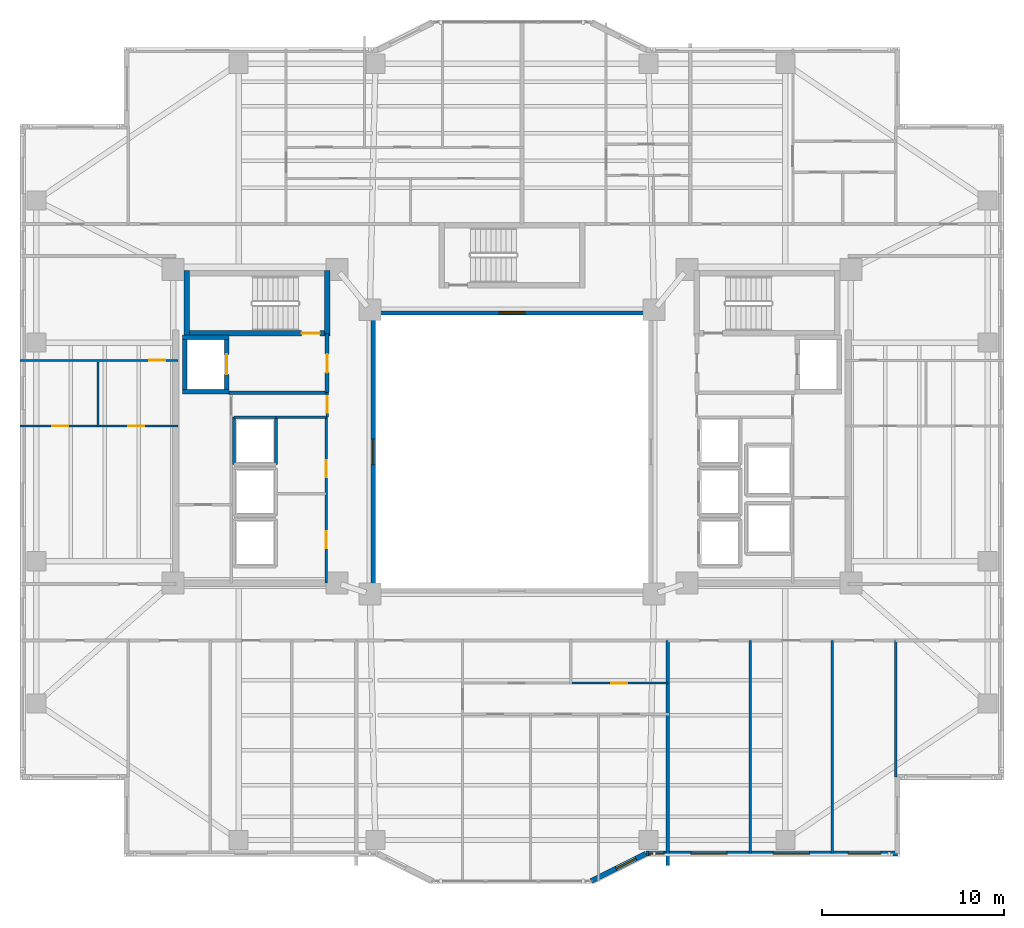
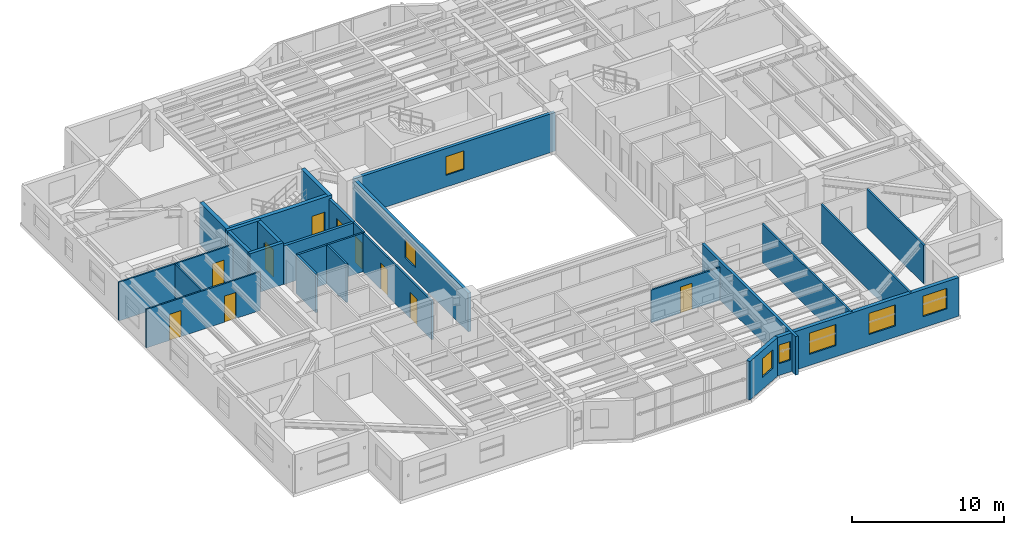
# One storey, part 7 of 18: 27 walls, 10 doors, 7 windows, 17 openings.
"""IFC4 building model written with IfcOpenShell, lengths in metres."""

import ifcopenshell
import ifcopenshell.guid

model = None  # the IFC model being written
_history = None  # IfcOwnerHistory: only IFC2X3 demands one
_inside = {}  # id of a spatial element -> (the spatial element, [elements in it])
_under = {}  # id of a project, library or spatial element -> (it, [spatial elements below it])
_declared = {}  # id of a project -> (the project, [libraries it declares])
_typed = {}  # id of a type object -> (the type object, [elements of that type])
_made_of = {}  # id of a material, layer set ... -> (it, [elements and type objects made of it])


def new_model(schema):
    """Start an empty IFC model of exactly this schema.

    Asked for "IFC4X3", IfcOpenShell would pick the latest addendum, in which some entities
    have other attributes; the version numbers below select the first issue.
    IFC2X3 requires an IfcOwnerHistory on every rooted entity: one is made here for all.
    """
    global model, _history
    if schema == "IFC4X3":
        model = ifcopenshell.file(schema_version=(4, 3, 0, 0))
    else:
        model = ifcopenshell.file(schema=schema)
    _inside.clear()
    _under.clear()
    _declared.clear()
    _typed.clear()
    _made_of.clear()
    _history = None
    if model.schema == "IFC2X3":
        org = make("IfcOrganization", Name="unknown")
        user = make(
            "IfcPersonAndOrganization",
            ThePerson=make("IfcPerson", FamilyName="unknown"),
            TheOrganization=org,
        )
        app = make(
            "IfcApplication",
            ApplicationDeveloper=org,
            Version="unknown",
            ApplicationFullName="unknown",
            ApplicationIdentifier="unknown",
        )
        _history = make(
            "IfcOwnerHistory",
            OwningUser=user,
            OwningApplication=app,
            ChangeAction="ADDED",
            CreationDate=0,
        )
    return model


def make(cls, **values):
    """One entity of the class cls with the attributes given. An attribute that is None is left unset."""
    return model.create_entity(
        cls, **{name: value for name, value in values.items() if value is not None}
    )


def rooted(cls, **values):
    """An entity with a GlobalId (a new one), such as an element, a storey or a relation."""
    return make(cls, GlobalId=ifcopenshell.guid.new(), OwnerHistory=_history, **values)


def si_unit(unit_type, name, prefix=None):
    """IfcSIUnit, for example si_unit("LENGTHUNIT", "METRE", prefix="MILLI")."""
    return make("IfcSIUnit", UnitType=unit_type, Prefix=prefix, Name=name)


def assignment(units):
    """IfcUnitAssignment: the units of a project."""
    return None if units is None else make("IfcUnitAssignment", Units=units)


def point(xyz):
    """IfcCartesianPoint."""
    return None if xyz is None else make("IfcCartesianPoint", Coordinates=xyz)


def direction(xyz):
    """IfcDirection."""
    return None if xyz is None else make("IfcDirection", DirectionRatios=xyz)


def frame(location, z_axis=None, x_axis=None):
    """IfcAxis2Placement3D, a coordinate frame: its origin and axes. An axis left out is left unset."""
    return make(
        "IfcAxis2Placement3D",
        Location=point(location),
        Axis=direction(z_axis),
        RefDirection=direction(x_axis),
    )


def frame_2d(location, x_axis=None):
    """IfcAxis2Placement2D, a coordinate frame in the plane: its origin and x axis."""
    return make(
        "IfcAxis2Placement2D", Location=point(location), RefDirection=direction(x_axis)
    )


def origin():
    """The frame at (0, 0, 0) with its axes left unset."""
    return frame((0.0, 0.0, 0.0))


def place(relative_to, where):
    """IfcLocalPlacement: puts the frame where relative to a parent placement (None: the world)."""
    return make(
        "IfcLocalPlacement", PlacementRelTo=relative_to, RelativePlacement=where
    )


def context(
    kind, dimensions, precision=None, world=None, true_north=None, identifier=None
):
    """IfcGeometricRepresentationContext, for example the 3D "Model" context."""
    return make(
        "IfcGeometricRepresentationContext",
        ContextIdentifier=identifier,
        ContextType=kind,
        CoordinateSpaceDimension=dimensions,
        Precision=precision,
        WorldCoordinateSystem=world,
        TrueNorth=true_north,
    )


def subcontext(parent, identifier, kind, view, scale=None):
    """IfcGeometricRepresentationSubContext, for example "Body" below "Model"."""
    return make(
        "IfcGeometricRepresentationSubContext",
        ContextIdentifier=identifier,
        ContextType=kind,
        ParentContext=parent,
        TargetScale=scale,
        TargetView=view,
    )


def project(units=None, contexts=None):
    """IfcProject with its units and contexts."""
    return rooted(
        "IfcProject",
        Name="project",
        RepresentationContexts=contexts,
        UnitsInContext=assignment(units),
    )


def spatial(cls, under=None, at=None, **own):
    """A site, building, storey or space (cls), placed at a placement, below another one or the project."""
    s = rooted(cls, ObjectPlacement=at, **own)
    if under is not None:
        _under.setdefault(under.id(), (under, []))[1].append(s)
    return s


def profile(cls, at=None, kind="AREA", **sizes):
    """A parametric profile (cls). Its sizes go by their IFC names, for example OverallWidth=200.0."""
    return make(cls, ProfileType=kind, Position=at, **sizes)


def rectangle(**sizes):
    """IfcRectangleProfileDef."""
    return profile("IfcRectangleProfileDef", **sizes)


def extrude(swept, where, along, depth):
    """IfcExtrudedAreaSolid: the profile swept, set in the frame where, extruded along a direction by depth."""
    return make(
        "IfcExtrudedAreaSolid",
        SweptArea=swept,
        Position=where,
        ExtrudedDirection=direction(along),
        Depth=depth,
    )


def shape(context_of_items, identifier, shape_type, items):
    """IfcShapeRepresentation: the items that make up one representation, for example the "Body"."""
    return make(
        "IfcShapeRepresentation",
        ContextOfItems=context_of_items,
        RepresentationIdentifier=identifier,
        RepresentationType=shape_type,
        Items=items,
    )


def material(Name=None, Category=None):
    """IfcMaterial."""
    return make("IfcMaterial", Name=Name, Category=Category)


def layer(
    of_material, thickness, ventilated=None, Name=None, Category=None, Priority=None
):
    """IfcMaterialLayer: one layer of a wall or slab, of a material (None: an air gap)."""
    return make(
        "IfcMaterialLayer",
        Material=of_material,
        LayerThickness=thickness,
        IsVentilated=ventilated,
        Name=Name,
        Category=Category,
        Priority=Priority,
    )


def layer_set(layers, Name=None):
    """IfcMaterialLayerSet."""
    return make("IfcMaterialLayerSet", MaterialLayers=layers, LayerSetName=Name)


def made_of(thing, what):
    """Note that an element or type object is made of a material, layer set ...; save() writes the relation."""
    if what is not None:
        _made_of.setdefault(what.id(), (what, []))[1].append(thing)
    return thing


def type_object(cls, material=None, **own):
    """A type object (cls), such as IfcWallType, which elements share."""
    return made_of(rooted(cls, **own), material)


def element(
    cls,
    number,
    at=None,
    inside=None,
    cuts=None,
    type_object=None,
    material=None,
    context=None,
    identifier="Body",
    shape_type=None,
    held_by="IfcProductDefinitionShape",
    body=None,
    shapes=None,
    **own,
):
    """One element of the class cls, such as IfcWall. Its Tag is "e" and its number.

    at: its placement. inside: the storey or other place that contains it. cuts: it is an
    opening in that element (IfcRelVoidsElement). A single representation is given by context,
    identifier, shape_type and body (its items); several are given by shapes. held_by: the class
    of the entity that holds the representations. save() writes the other relations.
    """
    e = rooted(cls, Tag="e%d" % number, ObjectPlacement=at, **own)
    if body is not None:
        shapes = [shape(context, identifier, shape_type, body)]
    if shapes is not None:
        e.Representation = make(held_by, Representations=shapes)
    if inside is not None:
        _inside.setdefault(inside.id(), (inside, []))[1].append(e)
    if cuts is not None:
        rooted(
            "IfcRelVoidsElement", RelatingBuildingElement=cuts, RelatedOpeningElement=e
        )
    if type_object is not None:
        _typed.setdefault(type_object.id(), (type_object, []))[1].append(e)
    return made_of(e, material)


def fill(opening, filler):
    """IfcRelFillsElement: the door or window that sits in an opening."""
    return rooted(
        "IfcRelFillsElement",
        RelatingOpeningElement=opening,
        RelatedBuildingElement=filler,
    )


def aggregate(whole, parts):
    """IfcRelAggregates: a whole, such as a stair, and the parts it consists of."""
    return rooted("IfcRelAggregates", RelatingObject=whole, RelatedObjects=parts)


def save(model, path):
    """Write the relations noted so far, then the file.

    IfcRelAggregates (storeys below a building ...), IfcRelContainedInSpatialStructure (elements
    in a storey), IfcRelDefinesByType, IfcRelAssociatesMaterial and IfcRelDeclares: one each for
    every whole, place, type object, material and project.
    """
    for whole, parts in _under.values():
        aggregate(whole, parts)
    for where, things in _inside.values():
        rooted(
            "IfcRelContainedInSpatialStructure",
            RelatedElements=things,
            RelatingStructure=where,
        )
    for kind, things in _typed.values():
        rooted("IfcRelDefinesByType", RelatedObjects=things, RelatingType=kind)
    for what, things in _made_of.values():
        rooted("IfcRelAssociatesMaterial", RelatedObjects=things, RelatingMaterial=what)
    for by, libraries in _declared.values():
        rooted("IfcRelDeclares", RelatingContext=by, RelatedDefinitions=libraries)
    model.write(path)


model = new_model("IFC4")

# Units and contexts
model_context = context("Model", 3, precision=1e-05, world=origin(), true_north=direction((0.0, 1.0)))
body_context = subcontext(model_context, "Body", "Model", "MODEL_VIEW")
ifc_project = project(units=[si_unit("LENGTHUNIT", "METRE"), si_unit("AREAUNIT", "SQUARE_METRE"), si_unit("VOLUMEUNIT", "CUBIC_METRE"), si_unit("PLANEANGLEUNIT", "RADIAN"), si_unit("MASSUNIT", "GRAM", prefix="KILO")], contexts=[model_context])

# Site, building, storey
site_placement = place(None, origin())
site = spatial("IfcSite", under=ifc_project, at=site_placement, CompositionType="ELEMENT")
building_placement = place(site_placement, origin())
building = spatial("IfcBuilding", under=site, at=building_placement, Name="Tarnavaz Court Tower", CompositionType="ELEMENT")
storey_placement = place(building_placement, frame((0.0, 0.0, 91.699951171875)))
storey = spatial("IfcBuildingStorey", under=building, at=storey_placement, Name="L24", CompositionType="ELEMENT", Elevation=91.699951171875)

# Wall
ifc_material_1 = material(Name="Concrete C60/75", Category="concrete")
ifc_layer_1 = layer(ifc_material_1, 0.25)
ifc_layer_set_1 = layer_set([ifc_layer_1], Name="Concrete C60/75")
wall_type_1 = type_object("IfcWallType", Name="WL-CORE-250-C60", PredefinedType="SHEAR", material=ifc_layer_set_1)
wall_1_placement = place(storey_placement, frame((-17.949951171875, 3.175048828125, 0.0), z_axis=(0.0, 0.0, 1.0), x_axis=(0.0, 1.0, 0.0)))
element("IfcWall", 1, at=wall_1_placement, inside=storey, type_object=wall_type_1, Name="L24 Lift FL-W1 Shaft Wall 017", PredefinedType="SHEAR", context=body_context, shape_type="SweptSolid", body=[
    extrude(rectangle(XDim=3.25, YDim=0.25, at=frame_2d((1.625, 0.0))), origin(), (0.0, 0.0, 1.0), 3.35009765625),
])

# Wall, opening, door
wall_2_placement = place(storey_placement, frame((-15.64990234375, 3.175048828125, 0.0), z_axis=(0.0, 0.0, 1.0), x_axis=(0.0, 1.0, 0.0)))
wall_2 = element("IfcWall", 2, at=wall_2_placement, inside=storey, type_object=wall_type_1, Name="L24 Lift FL-W1 Shaft Wall 018", PredefinedType="SHEAR", context=body_context, shape_type="SweptSolid", body=[
    extrude(rectangle(XDim=3.25, YDim=0.25, at=frame_2d((1.625, 0.0))), origin(), (0.0, 0.0, 1.0), 3.35009765625),
])
opening_1_placement = place(wall_2_placement, frame((1.074951171875, 0.0, 0.0)))
opening_1 = element("IfcOpeningElement", 3, at=opening_1_placement, cuts=wall_2, Name="Opening LD1", PredefinedType="OPENING", context=body_context, shape_type="SweptSolid", body=[
    extrude(rectangle(XDim=1.10009765625, YDim=2.14990234375, at=frame_2d((0.550048828125, 1.074951171875))), frame((0.0, 0.135009765625, 0.0), z_axis=(0.0, -1.0, 0.0), x_axis=(1.0, 0.0, 0.0)), (0.0, 0.0, 1.0), 0.27001953125),
])
ifc_material_2 = material(Name="Stainless Steel", Category="steel")
door_type_1 = type_object("IfcDoorType", Name="DR-LD-1100", OperationType="NOTDEFINED", PredefinedType="DOOR", material=ifc_material_2)
door_1_placement = place(opening_1_placement, origin())
door_1 = element("IfcDoor", 4, at=door_1_placement, inside=storey, type_object=door_type_1, Name="L24 Lift Landing Door LD-FL-W1", OperationType="SLIDING_TO_LEFT", OverallHeight=2.14990234375, OverallWidth=1.10009765625, PredefinedType="DOOR", context=body_context, shape_type="SweptSolid", body=[
    extrude(rectangle(XDim=1.10009765625, YDim=2.14990234375, at=frame_2d((0.550048828125, 1.074951171875))), frame((0.0, 0.02490234375, 0.0), z_axis=(0.0, -1.0, 0.0), x_axis=(1.0, 0.0, 0.0)), (0.0, 0.0, 1.0), 0.050048828125),
])
fill(opening_1, door_1)

# Walls
for number, where, z_axis, x_axis, name in (
    (5, (-18.074951171875, 3.300048828125, 0.0), (0.0, 0.0, 1.0), (1.0, 0.0, 0.0), "L24 Lift FL-W1 Shaft Wall 019"),
    (6, (-18.074951171875, 6.300048828125, 0.0), (0.0, 0.0, 1.0), (1.0, 0.0, 0.0), "L24 Lift FL-W1 Shaft Wall 020"),
):
    element("IfcWall", number, at=place(storey_placement, frame(where, z_axis=z_axis, x_axis=x_axis)), inside=storey, type_object=wall_type_1, Name=name, PredefinedType="SHEAR", context=body_context, shape_type="SweptSolid", body=[
        extrude(rectangle(XDim=2.550048828125, YDim=0.25, at=frame_2d((1.27490234375, 0.0))), origin(), (0.0, 0.0, 1.0), 3.35009765625),
    ])

# Wall, opening, door
ifc_layer_2 = layer(ifc_material_1, 0.300048828125)
ifc_layer_set_2 = layer_set([ifc_layer_2], Name="Concrete C60/75")
wall_type_2 = type_object("IfcWallType", Name="WL-CORE-300-C60", PredefinedType="SHEAR", material=ifc_layer_set_2)
wall_3_placement = place(storey_placement, frame((-18.0, 6.5, 0.0), z_axis=(0.0, 0.0, 1.0), x_axis=(1.0, 0.0, 0.0)))
wall_3 = element("IfcWall", 7, at=wall_3_placement, inside=storey, type_object=wall_type_2, Name="L24 West Stair Core Wall 002", PredefinedType="SHEAR", context=body_context, shape_type="SweptSolid", body=[
    extrude(rectangle(XDim=8.0, YDim=0.300048828125, at=frame_2d((4.0, 0.0))), origin(), (0.0, 0.0, 1.0), 3.35009765625),
])
opening_2_placement = place(wall_3_placement, frame((6.449951171875, 0.0, 0.0)))
opening_2 = element("IfcOpeningElement", 8, at=opening_2_placement, cuts=wall_3, Name="Opening D01", PredefinedType="OPENING", context=body_context, shape_type="SweptSolid", body=[
    extrude(rectangle(XDim=1.0, YDim=2.14990234375, at=frame_2d((0.5, 1.074951171875))), frame((0.0, 0.159912109375, 0.0), z_axis=(0.0, -1.0, 0.0), x_axis=(1.0, 0.0, 0.0)), (0.0, 0.0, 1.0), 0.320068359375),
])
ifc_material_3 = material(Name="Fire-Rated Hardwood Timber Core", Category="wood")
door_type_2 = type_object("IfcDoorType", Name="DR-FD90-1000", OperationType="NOTDEFINED", PredefinedType="DOOR", material=ifc_material_3)
door_2_placement = place(opening_2_placement, origin())
door_2 = element("IfcDoor", 9, at=door_2_placement, inside=storey, type_object=door_type_2, Name="L24 Stair ST-W1 Exit Door", OperationType="SINGLE_SWING_LEFT", OverallHeight=2.14990234375, OverallWidth=1.0, PredefinedType="DOOR", context=body_context, shape_type="SweptSolid", body=[
    extrude(rectangle(XDim=1.0, YDim=2.14990234375, at=frame_2d((0.5, 1.074951171875))), frame((0.0, 0.02490234375, 0.0), z_axis=(0.0, -1.0, 0.0), x_axis=(1.0, 0.0, 0.0)), (0.0, 0.0, 1.0), 0.050048828125),
])
fill(opening_2, door_2)

# Walls
for number, where, z_axis, x_axis, name in (
    (10, (-17.85009765625, 6.35009765625, 0.0), (0.0, 0.0, 1.0), (0.0, 1.0, 0.0), "L24 West Stair Core Wall 003"),
    (11, (-10.14990234375, 6.35009765625, 0.0), (0.0, 0.0, 1.0), (0.0, 1.0, 0.0), "L24 West Stair Core Wall 004"),
):
    element("IfcWall", number, at=place(storey_placement, frame(where, z_axis=z_axis, x_axis=x_axis)), inside=storey, type_object=wall_type_2, Name=name, PredefinedType="SHEAR", context=body_context, shape_type="SweptSolid", body=[
        extrude(rectangle(XDim=3.58984375, YDim=0.300048828125, at=frame_2d((1.794921875, 0.0))), origin(), (0.0, 0.0, 1.0), 3.35009765625),
    ])

# Wall, openings, windows
ifc_material_4 = material(Name="Precast Concrete C40/50", Category="concrete")
ifc_layer_3 = layer(ifc_material_4, 0.280029296875)
ifc_layer_set_3 = layer_set([ifc_layer_3], Name="Precast Concrete C40/50")
wall_type_3 = type_object("IfcWallType", Name="WL-EXT-280", PredefinedType="SOLIDWALL", material=ifc_layer_set_3)
wall_4_placement = place(storey_placement, frame((21.14990234375, -22.050048828125, 0.0), z_axis=(0.0, 0.0, 1.0), x_axis=(-1.0, 0.0, 0.0)))
wall_4 = element("IfcWall", 12, at=wall_4_placement, inside=storey, type_object=wall_type_3, Name="L24 Exterior Terracotta Facade Wall 15", PredefinedType="SOLIDWALL", context=body_context, shape_type="SweptSolid", body=[
    extrude(rectangle(XDim=13.7998046875, YDim=0.280029296875, at=frame_2d((6.89990234375, 0.0))), origin(), (0.0, 0.0, 1.0), 3.10009765625),
])
opening_3_placement = place(wall_4_placement, frame((0.906494140625, 0.0, 0.89990234375)))
opening_3 = element("IfcOpeningElement", 13, at=opening_3_placement, cuts=wall_4, Name="Opening W01", PredefinedType="OPENING", context=body_context, shape_type="SweptSolid", body=[
    extrude(rectangle(XDim=1.800048828125, YDim=1.64990234375, at=frame_2d((0.89990234375, 0.824951171875))), frame((0.0, 0.14990234375, 0.0), z_axis=(0.0, -1.0, 0.0), x_axis=(1.0, 0.0, 0.0)), (0.0, 0.0, 1.0), 0.300048828125),
])
opening_4_placement = place(wall_4_placement, frame((4.821044921875, 0.0, 0.89990234375)))
opening_4 = element("IfcOpeningElement", 14, at=opening_4_placement, cuts=wall_4, Name="Opening W08", PredefinedType="OPENING", context=body_context, shape_type="SweptSolid", body=[
    extrude(rectangle(XDim=2.0, YDim=1.699951171875, at=frame_2d((1.0, 0.85009765625))), frame((0.0, 0.14990234375, 0.0), z_axis=(0.0, -1.0, 0.0), x_axis=(1.0, 0.0, 0.0)), (0.0, 0.0, 1.0), 0.300048828125),
])
opening_5_placement = place(wall_4_placement, frame((9.33740234375, 0.0, 0.89990234375)))
opening_5 = element("IfcOpeningElement", 15, at=opening_5_placement, cuts=wall_4, Name="Opening W08", PredefinedType="OPENING", context=body_context, shape_type="SweptSolid", body=[
    extrude(rectangle(XDim=2.0, YDim=1.699951171875, at=frame_2d((1.0, 0.85009765625))), frame((0.0, 0.14990234375, 0.0), z_axis=(0.0, -1.0, 0.0), x_axis=(1.0, 0.0, 0.0)), (0.0, 0.0, 1.0), 0.300048828125),
])
opening_6_placement = place(wall_4_placement, frame((12.802978515625, 0.0, 0.949951171875)))
opening_6 = element("IfcOpeningElement", 16, at=opening_6_placement, cuts=wall_4, Name="Opening W15", PredefinedType="OPENING", context=body_context, shape_type="SweptSolid", body=[
    extrude(rectangle(XDim=0.85009765625, YDim=1.5, at=frame_2d((0.425048828125, 0.75))), frame((0.0, 0.14990234375, 0.0), z_axis=(0.0, -1.0, 0.0), x_axis=(1.0, 0.0, 0.0)), (0.0, 0.0, 1.0), 0.300048828125),
])
ifc_material_5 = material(Name="Double-Glazed Solar Low-E Glass", Category="glass")
window_type_1 = type_object("IfcWindowType", Name="WN-APT-1800", PartitioningType="DOUBLE_PANEL_VERTICAL", PredefinedType="WINDOW", material=ifc_material_5)
window_1_placement = place(opening_3_placement, origin())
window_1 = element("IfcWindow", 17, at=window_1_placement, inside=storey, type_object=window_type_1, Name="L24 Resident Focus Seminar Room Window", OverallHeight=1.64990234375, OverallWidth=1.800048828125, PartitioningType="SINGLE_PANEL", PredefinedType="WINDOW", context=body_context, shape_type="SweptSolid", body=[
    extrude(rectangle(XDim=1.800048828125, YDim=1.64990234375, at=frame_2d((0.89990234375, 0.824951171875))), frame((0.0, 0.030029296875, 0.0), z_axis=(0.0, -1.0, 0.0), x_axis=(1.0, 0.0, 0.0)), (0.0, 0.0, 1.0), 0.06005859375),
])
fill(opening_3, window_1)
window_type_2 = type_object("IfcWindowType", Name="WN-APT-2000", PartitioningType="DOUBLE_PANEL_VERTICAL", PredefinedType="WINDOW", material=ifc_material_5)
window_2_placement = place(opening_4_placement, origin())
window_2 = element("IfcWindow", 18, at=window_2_placement, inside=storey, type_object=window_type_2, Name="L24 Quiet Reading Library Room Window", OverallHeight=1.699951171875, OverallWidth=2.0, PartitioningType="SINGLE_PANEL", PredefinedType="WINDOW", context=body_context, shape_type="SweptSolid", body=[
    extrude(rectangle(XDim=2.0, YDim=1.699951171875, at=frame_2d((1.0, 0.85009765625))), frame((0.0, 0.030029296875, 0.0), z_axis=(0.0, -1.0, 0.0), x_axis=(1.0, 0.0, 0.0)), (0.0, 0.0, 1.0), 0.06005859375),
])
fill(opening_4, window_2)
window_3_placement = place(opening_5_placement, origin())
window_3 = element("IfcWindow", 19, at=window_3_placement, inside=storey, type_object=window_type_2, Name="L24 Resident Co-Working Study Room Window", OverallHeight=1.699951171875, OverallWidth=2.0, PartitioningType="SINGLE_PANEL", PredefinedType="WINDOW", context=body_context, shape_type="SweptSolid", body=[
    extrude(rectangle(XDim=2.0, YDim=1.699951171875, at=frame_2d((1.0, 0.85009765625))), frame((0.0, 0.030029296875, 0.0), z_axis=(0.0, -1.0, 0.0), x_axis=(1.0, 0.0, 0.0)), (0.0, 0.0, 1.0), 0.06005859375),
])
fill(opening_5, window_3)
window_type_3 = type_object("IfcWindowType", Name="WN-APT-850", PartitioningType="SINGLE_PANEL", PredefinedType="WINDOW", material=ifc_material_5)
window_4_placement = place(opening_6_placement, origin())
window_4 = element("IfcWindow", 20, at=window_4_placement, inside=storey, type_object=window_type_3, Name="L24 Flat 04 Bedroom 3 Window", OverallHeight=1.5, OverallWidth=0.85009765625, PartitioningType="SINGLE_PANEL", PredefinedType="WINDOW", context=body_context, shape_type="SweptSolid", body=[
    extrude(rectangle(XDim=0.85009765625, YDim=1.5, at=frame_2d((0.425048828125, 0.75))), frame((0.0, 0.030029296875, 0.0), z_axis=(0.0, -1.0, 0.0), x_axis=(1.0, 0.0, 0.0)), (0.0, 0.0, 1.0), 0.06005859375),
])
fill(opening_6, window_4)

# Wall, opening, window
wall_5_placement = place(storey_placement, frame((7.35009765625, -22.050048828125, 0.0), z_axis=(0.0, 0.0, 1.0), x_axis=(-0.894427191, -0.4472135955, 0.0)))
wall_5 = element("IfcWall", 21, at=wall_5_placement, inside=storey, type_object=wall_type_3, Name="L24 Exterior Terracotta Facade Wall 16", PredefinedType="SOLIDWALL", context=body_context, shape_type="SweptSolid", body=[
    extrude(rectangle(XDim=3.35400390625, YDim=0.280029296875, at=frame_2d((1.677001953125, 0.0))), origin(), (0.0, 0.0, 1.0), 3.10009765625),
])
opening_7_placement = place(wall_5_placement, frame((0.62158203125, 0.0, 0.949951171875)))
opening_7 = element("IfcOpeningElement", 22, at=opening_7_placement, cuts=wall_5, Name="Opening W05", PredefinedType="OPENING", context=body_context, shape_type="SweptSolid", body=[
    extrude(rectangle(XDim=1.199951171875, YDim=1.5, at=frame_2d((0.60009765625, 0.75))), frame((0.0, 0.14990234375, 0.0), z_axis=(0.0, -1.0, 0.0), x_axis=(1.0, 0.0, 0.0)), (0.0, 0.0, 1.0), 0.300048828125),
])
window_type_4 = type_object("IfcWindowType", Name="WN-APT-1200", PartitioningType="SINGLE_PANEL", PredefinedType="WINDOW", material=ifc_material_5)
window_5_placement = place(opening_7_placement, origin())
window_5 = element("IfcWindow", 23, at=window_5_placement, inside=storey, type_object=window_type_4, Name="L24 Flat 04 Bedroom 3 Window", OverallHeight=1.5, OverallWidth=1.199951171875, PartitioningType="SINGLE_PANEL", PredefinedType="WINDOW", context=body_context, shape_type="SweptSolid", body=[
    extrude(rectangle(XDim=1.199951171875, YDim=1.5, at=frame_2d((0.60009765625, 0.75))), frame((0.0, 0.030029296875, 0.0), z_axis=(0.0, -1.0, 0.0), x_axis=(1.0, 0.0, 0.0)), (0.0, 0.0, 1.0), 0.06005859375),
])
fill(opening_7, window_5)

# Wall
ifc_material_6 = material(Name="Autoclaved Aerated Concrete Blockwork", Category="masonry")
ifc_layer_4 = layer(ifc_material_6, 0.199951171875)
ifc_layer_set_4 = layer_set([ifc_layer_4], Name="Autoclaved Aerated Concrete Blockwork")
wall_type_4 = type_object("IfcWallType", Name="WL-FIRE-200", PredefinedType="SOLIDWALL", material=ifc_layer_set_4)
wall_6_placement = place(storey_placement, frame((-15.550048828125, 3.25, 0.0), z_axis=(0.0, 0.0, 1.0), x_axis=(1.0, 0.0, 0.0)))
element("IfcWall", 24, at=wall_6_placement, inside=storey, type_object=wall_type_4, Name="L24 West Firefighting Lobby Wall 013", PredefinedType="SOLIDWALL", context=body_context, shape_type="SweptSolid", body=[
    extrude(rectangle(XDim=5.400146484375, YDim=0.199951171875, at=frame_2d((2.7001953125, 0.0))), origin(), (0.0, 0.0, 1.0), 3.10009765625),
])

# Wall, opening, door
wall_7_placement = place(storey_placement, frame((-10.14990234375, 3.25, 0.0), z_axis=(0.0, 0.0, 1.0), x_axis=(0.0, 1.0, 0.0)))
wall_7 = element("IfcWall", 25, at=wall_7_placement, inside=storey, type_object=wall_type_4, Name="L24 West Firefighting Lobby Wall 014", PredefinedType="SOLIDWALL", context=body_context, shape_type="SweptSolid", body=[
    extrude(rectangle(XDim=3.25, YDim=0.199951171875, at=frame_2d((1.625, 0.0))), origin(), (0.0, 0.0, 1.0), 3.10009765625),
])
opening_8_placement = place(wall_7_placement, frame((1.10009765625, 0.0, 0.0)))
opening_8 = element("IfcOpeningElement", 26, at=opening_8_placement, cuts=wall_7, Name="Opening D05", PredefinedType="OPENING", context=body_context, shape_type="SweptSolid", body=[
    extrude(rectangle(XDim=1.02001953125, YDim=2.14990234375, at=frame_2d((0.510009765625, 1.074951171875))), frame((0.0, 0.10986328125, 0.0), z_axis=(0.0, -1.0, 0.0), x_axis=(1.0, 0.0, 0.0)), (0.0, 0.0, 1.0), 0.219970703125),
])
door_type_3 = type_object("IfcDoorType", Name="DR-FD60-1000", OperationType="NOTDEFINED", PredefinedType="DOOR", material=ifc_material_3)
door_3_placement = place(opening_8_placement, origin())
door_3 = element("IfcDoor", 27, at=door_3_placement, inside=storey, type_object=door_type_3, Name="L24 West Firefighting Lobby Door", OperationType="SINGLE_SWING_RIGHT", OverallHeight=2.14990234375, OverallWidth=1.02001953125, PredefinedType="DOOR", context=body_context, shape_type="SweptSolid", body=[
    extrude(rectangle(XDim=1.02001953125, YDim=2.14990234375, at=frame_2d((0.510009765625, 1.074951171875))), frame((0.0, 0.02490234375, 0.0), z_axis=(0.0, -1.0, 0.0), x_axis=(1.0, 0.0, 0.0)), (0.0, 0.0, 1.0), 0.050048828125),
])
fill(opening_8, door_3)

# Wall
wall_8_placement = place(storey_placement, frame((8.550048828125, -22.7041015625, 0.0), z_axis=(0.0, 0.0, 1.0), x_axis=(0.0, 1.0, 0.0)))
element("IfcWall", 28, at=wall_8_placement, inside=storey, type_object=wall_type_4, Name="L24 Party Wall 099", PredefinedType="SOLIDWALL", context=body_context, shape_type="SweptSolid", body=[
    extrude(rectangle(XDim=12.35400390625, YDim=0.199951171875, at=frame_2d((6.177001953125, 0.0))), origin(), (0.0, 0.0, 1.0), 3.10009765625),
])

# Wall, opening, door
ifc_material_7 = material(Name="Moisture-Resistant Gypsum Board Partition", Category="masonry")
ifc_layer_5 = layer(ifc_material_7, 0.1201171875)
ifc_layer_set_5 = layer_set([ifc_layer_5], Name="Moisture-Resistant Gypsum Board Partition")
wall_type_5 = type_object("IfcWallType", Name="WL-PART-120", PredefinedType="PARTITIONING", material=ifc_layer_set_5)
wall_9_placement = place(storey_placement, frame((3.218994140625, -12.68994140625, 0.0), z_axis=(0.0, 0.0, 1.0), x_axis=(1.0, 0.0, 0.0)))
wall_9 = element("IfcWall", 29, at=wall_9_placement, inside=storey, type_object=wall_type_5, Name="L24 Interior Partition 103", PredefinedType="PARTITIONING", context=body_context, shape_type="SweptSolid", body=[
    extrude(rectangle(XDim=5.3310546875, YDim=0.1201171875, at=frame_2d((2.66552734375, 0.0))), origin(), (0.0, 0.0, 1.0), 2.635009765625),
])
opening_9_placement = place(wall_9_placement, frame((2.22607421875, 0.0, 0.0)))
opening_9 = element("IfcOpeningElement", 30, at=opening_9_placement, cuts=wall_9, Name="Opening D14", PredefinedType="OPENING", context=body_context, shape_type="SweptSolid", body=[
    extrude(rectangle(XDim=0.8798828125, YDim=2.10009765625, at=frame_2d((0.43994140625, 1.050048828125))), frame((0.0, 0.070068359375, 0.0), z_axis=(0.0, -1.0, 0.0), x_axis=(1.0, 0.0, 0.0)), (0.0, 0.0, 1.0), 0.14013671875),
])
ifc_material_8 = material(Name="Engineered Oak Timber", Category="wood")
door_type_4 = type_object("IfcDoorType", Name="DR-INT-900", OperationType="NOTDEFINED", PredefinedType="DOOR", material=ifc_material_8)
door_4_placement = place(opening_9_placement, origin())
door_4 = element("IfcDoor", 31, at=door_4_placement, inside=storey, type_object=door_type_4, Name="L24 Flat 04 Bathroom Door", OperationType="SINGLE_SWING_LEFT", OverallHeight=2.10009765625, OverallWidth=0.8798828125, PredefinedType="DOOR", context=body_context, shape_type="SweptSolid", body=[
    extrude(rectangle(XDim=0.8798828125, YDim=2.10009765625, at=frame_2d((0.43994140625, 1.050048828125))), frame((0.0, 0.02490234375, 0.0), z_axis=(0.0, -1.0, 0.0), x_axis=(1.0, 0.0, 0.0)), (0.0, 0.0, 1.0), 0.050048828125),
])
fill(opening_9, door_4)

# Wall, openings, doors
wall_10_placement = place(storey_placement, frame((-27.0, 1.419921875, 0.0), z_axis=(0.0, 0.0, 1.0), x_axis=(1.0, 0.0, 0.0)))
wall_10 = element("IfcWall", 32, at=wall_10_placement, inside=storey, type_object=wall_type_5, Name="L24 Interior Partition 120", PredefinedType="PARTITIONING", context=body_context, shape_type="SweptSolid", body=[
    extrude(rectangle(XDim=8.669921875, YDim=0.1201171875, at=frame_2d((4.3349609375, 0.0))), origin(), (0.0, 0.0, 1.0), 3.10009765625),
])
opening_10_placement = place(wall_10_placement, frame((1.762939453125, 0.0, 0.0)))
opening_10 = element("IfcOpeningElement", 33, at=opening_10_placement, cuts=wall_10, Name="Opening D14", PredefinedType="OPENING", context=body_context, shape_type="SweptSolid", body=[
    extrude(rectangle(XDim=0.8798828125, YDim=2.10009765625, at=frame_2d((0.43994140625, 1.050048828125))), frame((0.0, 0.070068359375, 0.0), z_axis=(0.0, -1.0, 0.0), x_axis=(1.0, 0.0, 0.0)), (0.0, 0.0, 1.0), 0.14013671875),
])
opening_11_placement = place(wall_10_placement, frame((5.927978515625, 0.0, 0.0)))
opening_11 = element("IfcOpeningElement", 34, at=opening_11_placement, cuts=wall_10, Name="Opening D14", PredefinedType="OPENING", context=body_context, shape_type="SweptSolid", body=[
    extrude(rectangle(XDim=0.8798828125, YDim=2.10009765625, at=frame_2d((0.43994140625, 1.050048828125))), frame((0.0, 0.070068359375, 0.0), z_axis=(0.0, -1.0, 0.0), x_axis=(1.0, 0.0, 0.0)), (0.0, 0.0, 1.0), 0.14013671875),
])
door_5_placement = place(opening_10_placement, origin())
door_5 = element("IfcDoor", 35, at=door_5_placement, inside=storey, type_object=door_type_4, Name="L24 Flat 05 Kitchen Door", OperationType="SINGLE_SWING_RIGHT", OverallHeight=2.10009765625, OverallWidth=0.8798828125, PredefinedType="DOOR", context=body_context, shape_type="SweptSolid", body=[
    extrude(rectangle(XDim=0.8798828125, YDim=2.10009765625, at=frame_2d((0.43994140625, 1.050048828125))), frame((0.0, 0.02490234375, 0.0), z_axis=(0.0, -1.0, 0.0), x_axis=(1.0, 0.0, 0.0)), (0.0, 0.0, 1.0), 0.050048828125),
])
fill(opening_10, door_5)
door_6_placement = place(opening_11_placement, origin())
door_6 = element("IfcDoor", 36, at=door_6_placement, inside=storey, type_object=door_type_4, Name="L24 Flat 05 Bathroom Door", OperationType="SINGLE_SWING_LEFT", OverallHeight=2.10009765625, OverallWidth=0.8798828125, PredefinedType="DOOR", context=body_context, shape_type="SweptSolid", body=[
    extrude(rectangle(XDim=0.8798828125, YDim=2.10009765625, at=frame_2d((0.43994140625, 1.050048828125))), frame((0.0, 0.02490234375, 0.0), z_axis=(0.0, -1.0, 0.0), x_axis=(1.0, 0.0, 0.0)), (0.0, 0.0, 1.0), 0.050048828125),
])
fill(opening_11, door_6)

# Wall, opening, door
wall_11_placement = place(storey_placement, frame((-27.0, 5.02001953125, 0.0), z_axis=(0.0, 0.0, 1.0), x_axis=(1.0, 0.0, 0.0)))
wall_11 = element("IfcWall", 37, at=wall_11_placement, inside=storey, type_object=wall_type_5, Name="L24 Interior Partition 121", PredefinedType="PARTITIONING", context=body_context, shape_type="SweptSolid", body=[
    extrude(rectangle(XDim=8.669921875, YDim=0.1201171875, at=frame_2d((4.3349609375, 0.0))), origin(), (0.0, 0.0, 1.0), 3.10009765625),
])
opening_12_placement = place(wall_11_placement, frame((7.10009765625, 0.0, 0.0)))
opening_12 = element("IfcOpeningElement", 38, at=opening_12_placement, cuts=wall_11, Name="Opening D14", PredefinedType="OPENING", context=body_context, shape_type="SweptSolid", body=[
    extrude(rectangle(XDim=0.8798828125, YDim=2.10009765625, at=frame_2d((0.43994140625, 1.050048828125))), frame((0.0, 0.070068359375, 0.0), z_axis=(0.0, -1.0, 0.0), x_axis=(1.0, 0.0, 0.0)), (0.0, 0.0, 1.0), 0.14013671875),
])
door_7_placement = place(opening_12_placement, origin())
door_7 = element("IfcDoor", 39, at=door_7_placement, inside=storey, type_object=door_type_4, Name="L24 Flat 05 Study Door", OperationType="SINGLE_SWING_RIGHT", OverallHeight=2.10009765625, OverallWidth=0.8798828125, PredefinedType="DOOR", context=body_context, shape_type="SweptSolid", body=[
    extrude(rectangle(XDim=0.8798828125, YDim=2.10009765625, at=frame_2d((0.43994140625, 1.050048828125))), frame((0.0, 0.02490234375, 0.0), z_axis=(0.0, -1.0, 0.0), x_axis=(1.0, 0.0, 0.0)), (0.0, 0.0, 1.0), 0.050048828125),
])
fill(opening_12, door_7)

# Walls
wall_12_placement = place(storey_placement, frame((-22.715087890625, 1.360107421875, 0.0), z_axis=(0.0, 0.0, 1.0), x_axis=(0.0, 1.0, 0.0)))
element("IfcWall", 40, at=wall_12_placement, inside=storey, type_object=wall_type_5, Name="L24 Interior Partition 122", PredefinedType="PARTITIONING", context=body_context, shape_type="SweptSolid", body=[
    extrude(rectangle(XDim=3.579833984375, YDim=0.1201171875, at=frame_2d((1.7900390625, 0.0))), origin(), (0.0, 0.0, 1.0), 3.10009765625),
])
ifc_material_9 = material(Name="Gypsum Plasterboard Acoustic Partition", Category="masonry")
ifc_layer_6 = layer(ifc_material_9, 0.139892578125)
ifc_layer_set_6 = layer_set([ifc_layer_6], Name="Gypsum Plasterboard Acoustic Partition")
wall_type_6 = type_object("IfcWallType", Name="WL-PART-150", PredefinedType="PARTITIONING", material=ifc_layer_set_6)
wall_13_placement = place(storey_placement, frame((-12.949951171875, 1.89990234375, 0.0), z_axis=(0.0, 0.0, 1.0), x_axis=(1.0, 0.0, 0.0)))
element("IfcWall", 41, at=wall_13_placement, inside=storey, type_object=wall_type_6, Name="L24 Interior Partition 061", PredefinedType="PARTITIONING", context=body_context, shape_type="SweptSolid", body=[
    extrude(rectangle(XDim=2.800048828125, YDim=0.139892578125, at=frame_2d((1.39990234375, 0.0))), origin(), (0.0, 0.0, 1.0), 3.10009765625),
])

# Wall, opening, door
wall_14_placement = place(storey_placement, frame((-10.14990234375, 1.919921875, 0.0), z_axis=(0.0, 0.0, 1.0), x_axis=(0.0, 1.0, 0.0)))
wall_14 = element("IfcWall", 42, at=wall_14_placement, inside=storey, type_object=wall_type_6, Name="L24 Interior Partition 062", PredefinedType="PARTITIONING", context=body_context, shape_type="SweptSolid", body=[
    extrude(rectangle(XDim=1.330078125, YDim=0.139892578125, at=frame_2d((0.6650390625, 0.0))), origin(), (0.0, 0.0, 1.0), 3.10009765625),
])
opening_13_placement = place(wall_14_placement, frame((0.219970703125, 0.0, 0.0)))
opening_13 = element("IfcOpeningElement", 43, at=opening_13_placement, cuts=wall_14, Name="Opening D09", PredefinedType="OPENING", context=body_context, shape_type="SweptSolid", body=[
    extrude(rectangle(XDim=0.89990234375, YDim=2.080078125, at=frame_2d((0.449951171875, 1.0400390625))), frame((0.0, 0.079833984375, 0.0), z_axis=(0.0, -1.0, 0.0), x_axis=(1.0, 0.0, 0.0)), (0.0, 0.0, 1.0), 0.159912109375),
])
door_type_5 = type_object("IfcDoorType", Name="DR-FD30-900", OperationType="NOTDEFINED", PredefinedType="DOOR", material=ifc_material_3)
door_8_placement = place(opening_13_placement, origin())
door_8 = element("IfcDoor", 44, at=door_8_placement, inside=storey, type_object=door_type_5, Name="L24 West Core Service Lobby Door", OperationType="SINGLE_SWING_LEFT", OverallHeight=2.080078125, OverallWidth=0.89990234375, PredefinedType="DOOR", context=body_context, shape_type="SweptSolid", body=[
    extrude(rectangle(XDim=0.89990234375, YDim=2.080078125, at=frame_2d((0.449951171875, 1.0400390625))), frame((0.0, 0.02490234375, 0.0), z_axis=(0.0, -1.0, 0.0), x_axis=(1.0, 0.0, 0.0)), (0.0, 0.0, 1.0), 0.050048828125),
])
fill(opening_13, door_8)

# Wall, openings, doors
wall_15_placement = place(storey_placement, frame((-10.199951171875, -7.199951171875, 0.0), z_axis=(0.0, 0.0, 1.0), x_axis=(0.0, 1.0, 0.0)))
wall_15 = element("IfcWall", 45, at=wall_15_placement, inside=storey, type_object=wall_type_6, Name="L24 West Reclaimed Core Wall 065", PredefinedType="PARTITIONING", context=body_context, shape_type="SweptSolid", body=[
    extrude(rectangle(XDim=9.119873046875, YDim=0.139892578125, at=frame_2d((4.56005859375, 0.0))), origin(), (0.0, 0.0, 1.0), 3.10009765625),
])
opening_14_placement = place(wall_15_placement, frame((1.89990234375, 0.0, 0.0)))
opening_14 = element("IfcOpeningElement", 46, at=opening_14_placement, cuts=wall_15, Name="Opening D08", PredefinedType="OPENING", context=body_context, shape_type="SweptSolid", body=[
    extrude(rectangle(XDim=0.949951171875, YDim=2.1201171875, at=frame_2d((0.47509765625, 1.06005859375))), frame((0.0, 0.079833984375, 0.0), z_axis=(0.0, -1.0, 0.0), x_axis=(1.0, 0.0, 0.0)), (0.0, 0.0, 1.0), 0.159912109375),
])
opening_15_placement = place(wall_15_placement, frame((5.800048828125, 0.0, 0.0)))
opening_15 = element("IfcOpeningElement", 47, at=opening_15_placement, cuts=wall_15, Name="Opening D08", PredefinedType="OPENING", context=body_context, shape_type="SweptSolid", body=[
    extrude(rectangle(XDim=0.949951171875, YDim=2.1201171875, at=frame_2d((0.47509765625, 1.06005859375))), frame((0.0, 0.079833984375, 0.0), z_axis=(0.0, -1.0, 0.0), x_axis=(1.0, 0.0, 0.0)), (0.0, 0.0, 1.0), 0.159912109375),
])
door_type_6 = type_object("IfcDoorType", Name="DR-FD30-950", OperationType="NOTDEFINED", PredefinedType="DOOR", material=ifc_material_3)
door_9_placement = place(opening_14_placement, origin())
door_9 = element("IfcDoor", 48, at=door_9_placement, inside=storey, type_object=door_type_6, Name="L24 West Study Room Door", OperationType="SINGLE_SWING_RIGHT", OverallHeight=2.1201171875, OverallWidth=0.949951171875, PredefinedType="DOOR", context=body_context, shape_type="SweptSolid", body=[
    extrude(rectangle(XDim=0.949951171875, YDim=2.1201171875, at=frame_2d((0.47509765625, 1.06005859375))), frame((0.0, 0.02490234375, 0.0), z_axis=(0.0, -1.0, 0.0), x_axis=(1.0, 0.0, 0.0)), (0.0, 0.0, 1.0), 0.050048828125),
])
fill(opening_14, door_9)
door_10_placement = place(opening_15_placement, origin())
door_10 = element("IfcDoor", 49, at=door_10_placement, inside=storey, type_object=door_type_6, Name="L24 West Laundry Room Door", OperationType="SINGLE_SWING_LEFT", OverallHeight=2.1201171875, OverallWidth=0.949951171875, PredefinedType="DOOR", context=body_context, shape_type="SweptSolid", body=[
    extrude(rectangle(XDim=0.949951171875, YDim=2.1201171875, at=frame_2d((0.47509765625, 1.06005859375))), frame((0.0, 0.02490234375, 0.0), z_axis=(0.0, -1.0, 0.0), x_axis=(1.0, 0.0, 0.0)), (0.0, 0.0, 1.0), 0.050048828125),
])
fill(opening_15, door_10)

# Walls
for number, where, z_axis, x_axis, name in (
    (50, (13.08203125, -22.050048828125, 0.0), (0.0, 0.0, 1.0), (0.0, 1.0, 0.0), "L24 Interior Partition 096"),
    (51, (17.56396484375, -22.050048828125, 0.0), (0.0, 0.0, 1.0), (0.0, 1.0, 0.0), "L24 Interior Partition 097"),
):
    element("IfcWall", number, at=place(storey_placement, frame(where, z_axis=z_axis, x_axis=x_axis)), inside=storey, type_object=wall_type_6, Name=name, PredefinedType="PARTITIONING", context=body_context, shape_type="SweptSolid", body=[
        extrude(rectangle(XDim=11.699951171875, YDim=0.139892578125, at=frame_2d((5.85009765625, 0.0))), origin(), (0.0, 0.0, 1.0), 3.10009765625),
    ])
wall_16_placement = place(storey_placement, frame((21.050048828125, -17.85009765625, 0.0), z_axis=(0.0, 0.0, 1.0), x_axis=(0.0, 1.0, 0.0)))
element("IfcWall", 52, at=wall_16_placement, inside=storey, type_object=wall_type_6, Name="L24 Interior Partition 113", PredefinedType="PARTITIONING", context=body_context, shape_type="SweptSolid", body=[
    extrude(rectangle(XDim=7.5, YDim=0.139892578125, at=frame_2d((3.75, 0.0))), origin(), (0.0, 0.0, 1.0), 3.10009765625),
])
ifc_layer_7 = layer(ifc_material_6, 0.159912109375)
ifc_layer_set_7 = layer_set([ifc_layer_7], Name="Autoclaved Aerated Concrete Blockwork")
wall_type_7 = type_object("IfcWallType", Name="WL-SHAFT-150", PredefinedType="SOLIDWALL", material=ifc_layer_set_7)
for number, where, z_axis, x_axis, name in (
    (53, (-15.25, -0.699951171875, 0.0), (0.0, 0.0, 1.0), (0.0, 1.0, 0.0), "L24 Lift PL-H3 Shaft Wall 029"),
    (54, (-12.949951171875, -0.699951171875, 0.0), (0.0, 0.0, 1.0), (0.0, 1.0, 0.0), "L24 Lift PL-H3 Shaft Wall 030"),
):
    element("IfcWall", number, at=place(storey_placement, frame(where, z_axis=z_axis, x_axis=x_axis)), inside=storey, type_object=wall_type_7, Name=name, PredefinedType="SOLIDWALL", context=body_context, shape_type="SweptSolid", body=[
        extrude(rectangle(XDim=2.599853515625, YDim=0.159912109375, at=frame_2d((1.2998046875, 0.0))), origin(), (0.0, 0.0, 1.0), 3.10009765625),
    ])
wall_17_placement = place(storey_placement, frame((-15.25, 1.89990234375, 0.0), z_axis=(0.0, 0.0, 1.0), x_axis=(1.0, 0.0, 0.0)))
element("IfcWall", 55, at=wall_17_placement, inside=storey, type_object=wall_type_7, Name="L24 Lift PL-H3 Shaft Wall 032", PredefinedType="SOLIDWALL", context=body_context, shape_type="SweptSolid", body=[
    extrude(rectangle(XDim=2.300048828125, YDim=0.159912109375, at=frame_2d((1.14990234375, 0.0))), origin(), (0.0, 0.0, 1.0), 3.10009765625),
])

# Wall, opening, window
ifc_layer_8 = layer(ifc_material_4, 0.239990234375)
ifc_layer_set_8 = layer_set([ifc_layer_8], Name="Precast Concrete C40/50")
wall_type_8 = type_object("IfcWallType", Name="WL-WELL-240", PredefinedType="SOLIDWALL", material=ifc_layer_set_8)
wall_18_placement = place(storey_placement, frame((7.6201171875, 7.6201171875, 0.0), z_axis=(0.0, 0.0, 1.0), x_axis=(-1.0, 0.0, 0.0)))
wall_18 = element("IfcWall", 56, at=wall_18_placement, inside=storey, type_object=wall_type_8, Name="L24 Badgir Light-Well Exterior Wall N", PredefinedType="SOLIDWALL", context=body_context, shape_type="SweptSolid", body=[
    extrude(rectangle(XDim=15.240234375, YDim=0.239990234375, at=frame_2d((7.6201171875, 0.0))), origin(), (0.0, 0.0, 1.0), 3.10009765625),
])
opening_16_placement = place(wall_18_placement, frame((6.919921875, 0.0, 0.949951171875)))
opening_16 = element("IfcOpeningElement", 57, at=opening_16_placement, cuts=wall_18, Name="Opening W13", PredefinedType="OPENING", context=body_context, shape_type="SweptSolid", body=[
    extrude(rectangle(XDim=1.39990234375, YDim=1.5, at=frame_2d((0.699951171875, 0.75))), frame((0.0, 0.1298828125, 0.0), z_axis=(0.0, -1.0, 0.0), x_axis=(1.0, 0.0, 0.0)), (0.0, 0.0, 1.0), 0.260009765625),
])
window_type_5 = type_object("IfcWindowType", Name="WN-WEL-1400", PartitioningType="SINGLE_PANEL", PredefinedType="WINDOW", material=ifc_material_5)
window_6_placement = place(opening_16_placement, origin())
window_6 = element("IfcWindow", 58, at=window_6_placement, inside=storey, type_object=window_type_5, Name="L24 Courtyard Gallery Window N", OverallHeight=1.5, OverallWidth=1.39990234375, PartitioningType="SINGLE_PANEL", PredefinedType="WINDOW", context=body_context, shape_type="SweptSolid", body=[
    extrude(rectangle(XDim=1.39990234375, YDim=1.5, at=frame_2d((0.699951171875, 0.75))), frame((0.0, 0.030029296875, 0.0), z_axis=(0.0, -1.0, 0.0), x_axis=(1.0, 0.0, 0.0)), (0.0, 0.0, 1.0), 0.06005859375),
])
fill(opening_16, window_6)

wall_19_placement = place(storey_placement, frame((-7.6201171875, 7.6201171875, 0.0), z_axis=(0.0, 0.0, 1.0), x_axis=(0.0, -1.0, 0.0)))
wall_19 = element("IfcWall", 59, at=wall_19_placement, inside=storey, type_object=wall_type_8, Name="L24 Badgir Light-Well Exterior Wall W", PredefinedType="SOLIDWALL", context=body_context, shape_type="SweptSolid", body=[
    extrude(rectangle(XDim=15.240234375, YDim=0.239990234375, at=frame_2d((7.6201171875, 0.0))), origin(), (0.0, 0.0, 1.0), 3.10009765625),
])
opening_17_placement = place(wall_19_placement, frame((6.919921875, 0.0, 0.949951171875)))
opening_17 = element("IfcOpeningElement", 60, at=opening_17_placement, cuts=wall_19, Name="Opening W13", PredefinedType="OPENING", context=body_context, shape_type="SweptSolid", body=[
    extrude(rectangle(XDim=1.39990234375, YDim=1.5, at=frame_2d((0.699951171875, 0.75))), frame((0.0, 0.1298828125, 0.0), z_axis=(0.0, -1.0, 0.0), x_axis=(1.0, 0.0, 0.0)), (0.0, 0.0, 1.0), 0.260009765625),
])
window_7_placement = place(opening_17_placement, origin())
window_7 = element("IfcWindow", 61, at=window_7_placement, inside=storey, type_object=window_type_5, Name="L24 Courtyard Gallery Window W", OverallHeight=1.5, OverallWidth=1.39990234375, PartitioningType="SINGLE_PANEL", PredefinedType="WINDOW", context=body_context, shape_type="SweptSolid", body=[
    extrude(rectangle(XDim=1.39990234375, YDim=1.5, at=frame_2d((0.699951171875, 0.75))), frame((0.0, 0.030029296875, 0.0), z_axis=(0.0, -1.0, 0.0), x_axis=(1.0, 0.0, 0.0)), (0.0, 0.0, 1.0), 0.06005859375),
])
fill(opening_17, window_7)

save(model, "model.ifc")
